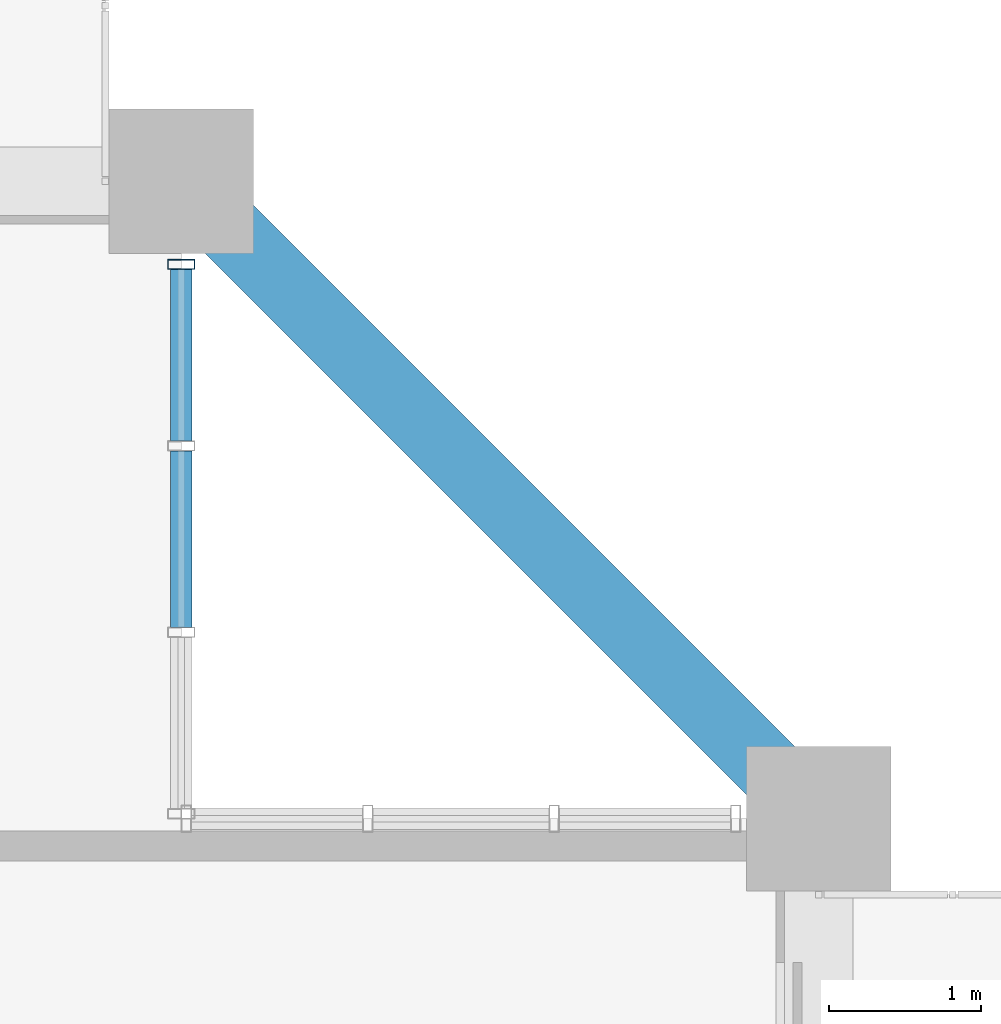
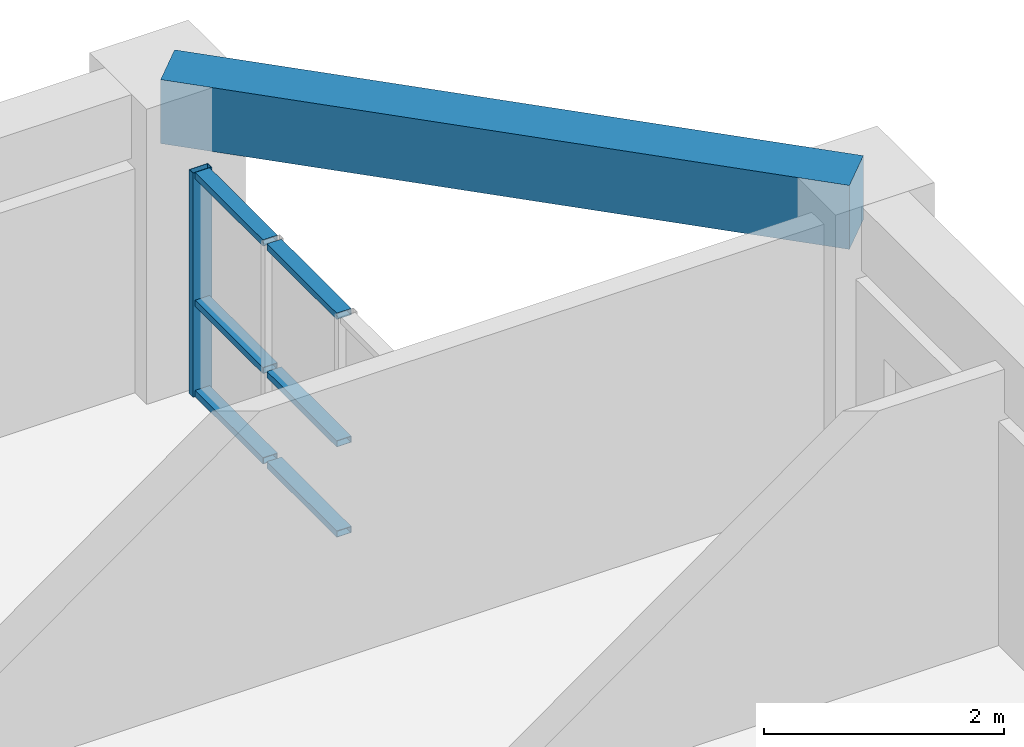
# One storey, part 12 of 25: 7 members, 1 beam, 1 element without a shape of its own.
"""IFC4 building model written with IfcOpenShell, lengths in metres."""

from ifc_helpers import new_model, si_unit, direction, frame, origin, origin_2d, place, context, subcontext, project, spatial, rectangle, hollow_rectangle, extrude, source, transform, mapped, material, layer, layer_set, material_profile, profile_set, type_object, element, aggregate, save


model = new_model("IFC4")

# Units and contexts
model_context = context("Model", 3, precision=1e-05, world=origin(), true_north=direction((0.0, 1.0)))
body_context = subcontext(model_context, "Body", "Model", "MODEL_VIEW")
ifc_project = project(units=[si_unit("LENGTHUNIT", "METRE"), si_unit("AREAUNIT", "SQUARE_METRE"), si_unit("VOLUMEUNIT", "CUBIC_METRE"), si_unit("PLANEANGLEUNIT", "RADIAN"), si_unit("MASSUNIT", "GRAM", prefix="KILO")], contexts=[model_context])

# Site, building, storey
site_placement = place(None, origin())
site = spatial("IfcSite", under=ifc_project, at=site_placement, CompositionType="ELEMENT")
building_placement = place(site_placement, origin())
building = spatial("IfcBuilding", under=site, at=building_placement, Name="Saelheon Loggia Tower", CompositionType="ELEMENT")
storey_placement = place(building_placement, frame((0.0, 0.0, 107.85009765625)))
storey = spatial("IfcBuildingStorey", under=building, at=storey_placement, Name="L34", CompositionType="ELEMENT", Elevation=107.85009765625)

# Beam
ifc_material_1 = material(Name="Concrete C40/50", Category="concrete")
ifc_material_profile_1 = material_profile(ifc_material_1, rectangle(XDim=0.449951171875, YDim=0.64990234375, at=origin_2d()), Name="RC-450x650")
ifc_profile_set_1 = profile_set([ifc_material_profile_1], Name="Concrete C40/50")
beam_type = type_object("IfcBeamType", Name="Beam_PerimTower_RC450x650", PredefinedType="BEAM", material=ifc_profile_set_1)
shared_shape_1 = source(origin(), body_context, "Body", "SweptSolid", [
    extrude(rectangle(XDim=0.449951171875, YDim=0.64990234375, at=origin_2d()), origin(), (0.0, 0.0, 1.0), 5.939697265625),
])
beam_placement = place(storey_placement, frame((64.0, 46.800048828125, 2.6748046875), z_axis=(-0.707106781187, 0.707106781187, 0.0), x_axis=(-0.707106781187, -0.707106781187, 0.0)))
element("IfcBeam", 1, at=beam_placement, inside=storey, type_object=beam_type, Name="L34 Perimeter Frame Girder 08", PredefinedType="BEAM", context=body_context, shape_type="MappedRepresentation", body=[
    mapped(shared_shape_1, transform((0.0, 0.0, 0.0), scale=1.0)),
])

# Curtain wall, members
ifc_material_2 = material(Name="Thermal-Break Aluminium and Triple Low-E Glass", Category="aluminium")
ifc_layer = layer(ifc_material_2, 0.159912109375)
ifc_layer_set = layer_set([ifc_layer], Name="Thermal-Break Aluminium and Triple Low-E Glass")
curtain_wall_type = type_object("IfcCurtainWallType", Name="CW_TowerLoggiaLow", PredefinedType="NOTDEFINED", material=ifc_layer_set)
curtain_wall_placement = place(storey_placement, origin())
curtain_wall = element("IfcCurtainWall", 2, at=curtain_wall_placement, inside=storey, type_object=curtain_wall_type, Name="L34 Corner Notch Glazing NE1", PredefinedType="NOTDEFINED")
ifc_material_3 = material(Name="Anodised Aluminium 6063-T6", Category="aluminium")
ifc_material_profile_2 = material_profile(ifc_material_3, hollow_rectangle(XDim=0.06494140625, YDim=0.179931640625, WallThickness=0.00390625, at=origin_2d()), Name="RHS-180x65x4")
ifc_profile_set_2 = profile_set([ifc_material_profile_2], Name="Anodised Aluminium 6063-T6")
member_type_1 = type_object("IfcMemberType", Name="CW_TowerLoggiaLow_Mullion", PredefinedType="MULLION", material=ifc_profile_set_2)
shared_shape_2 = source(origin(), body_context, "Body", "SweptSolid", [
    extrude(hollow_rectangle(XDim=0.06494140625, YDim=0.179931640625, WallThickness=0.00390625, at=origin_2d()), origin(), (0.0, 0.0, 1.0), 2.27978515625),
])
member_1_placement = place(storey_placement, frame((59.800048828125, 50.452392578125, 0.0), z_axis=(0.0, 0.0, 1.0), x_axis=(0.0, 1.0, 0.0)))
member_1 = element("IfcMember", 3, at=member_1_placement, type_object=member_type_1, Name="CW3 mullion 4", PredefinedType="MULLION", context=body_context, shape_type="MappedRepresentation", body=[
    mapped(shared_shape_2, transform((0.0, 0.0, 0.0), scale=1.0)),
])
ifc_material_profile_3 = material_profile(ifc_material_3, hollow_rectangle(XDim=0.06494140625, YDim=0.139892578125, WallThickness=0.00390625, at=origin_2d()), Name="RHS-140x65x4")
ifc_profile_set_3 = profile_set([ifc_material_profile_3], Name="Anodised Aluminium 6063-T6")
member_type_2 = type_object("IfcMemberType", Name="CW_TowerLoggiaLow_Transom", PredefinedType="USERDEFINED", material=ifc_profile_set_3)
shared_shape_3 = source(origin(), body_context, "Body", "SweptSolid", [
    extrude(hollow_rectangle(XDim=0.06494140625, YDim=0.139892578125, WallThickness=0.00390625, at=origin_2d()), origin(), (0.0, 0.0, 1.0), 1.130859375),
])
member_2_placement = place(storey_placement, frame((59.800048828125, 49.2890625, 0.032470703125), z_axis=(0.0, 1.0, 0.0), x_axis=(0.0, 0.0, 1.0)))
member_2 = element("IfcMember", 4, at=member_2_placement, type_object=member_type_2, Name="CW3 transom 3.1", ObjectType="TRANSOM", PredefinedType="USERDEFINED", context=body_context, shape_type="MappedRepresentation", body=[
    mapped(shared_shape_3, transform((0.0, 0.0, 0.0), scale=1.0)),
])
member_3_placement = place(storey_placement, frame((59.800048828125, 49.2890625, 0.949951171875), z_axis=(0.0, 1.0, 0.0), x_axis=(0.0, 0.0, 1.0)))
member_3 = element("IfcMember", 5, at=member_3_placement, type_object=member_type_2, Name="CW3 transom 3.2", ObjectType="TRANSOM", PredefinedType="USERDEFINED", context=body_context, shape_type="MappedRepresentation", body=[
    mapped(shared_shape_3, transform((0.0, 0.0, 0.0), scale=1.0)),
])
member_4_placement = place(storey_placement, frame((59.800048828125, 49.2890625, 2.247314453125), z_axis=(0.0, 1.0, 0.0), x_axis=(0.0, 0.0, 1.0)))
member_4 = element("IfcMember", 6, at=member_4_placement, type_object=member_type_2, Name="CW3 transom 3.3", ObjectType="TRANSOM", PredefinedType="USERDEFINED", context=body_context, shape_type="MappedRepresentation", body=[
    mapped(shared_shape_3, transform((0.0, 0.0, 0.0), scale=1.0)),
])
shared_shape_4 = source(origin(), body_context, "Body", "SweptSolid", [
    extrude(hollow_rectangle(XDim=0.06494140625, YDim=0.139892578125, WallThickness=0.00390625, at=origin_2d()), origin(), (0.0, 0.0, 1.0), 1.163330078125),
])
member_5_placement = place(storey_placement, frame((59.800048828125, 48.060791015625, 0.032470703125), z_axis=(0.0, 1.0, 0.0), x_axis=(0.0, 0.0, 1.0)))
member_5 = element("IfcMember", 7, at=member_5_placement, type_object=member_type_2, Name="CW3 transom 2.1", ObjectType="TRANSOM", PredefinedType="USERDEFINED", context=body_context, shape_type="MappedRepresentation", body=[
    mapped(shared_shape_4, transform((0.0, 0.0, 0.0), scale=1.0)),
])
member_6_placement = place(storey_placement, frame((59.800048828125, 48.060791015625, 0.949951171875), z_axis=(0.0, 1.0, 0.0), x_axis=(0.0, 0.0, 1.0)))
member_6 = element("IfcMember", 8, at=member_6_placement, type_object=member_type_2, Name="CW3 transom 2.2", ObjectType="TRANSOM", PredefinedType="USERDEFINED", context=body_context, shape_type="MappedRepresentation", body=[
    mapped(shared_shape_4, transform((0.0, 0.0, 0.0), scale=1.0)),
])
member_7_placement = place(storey_placement, frame((59.800048828125, 48.060791015625, 2.247314453125), z_axis=(0.0, 1.0, 0.0), x_axis=(0.0, 0.0, 1.0)))
member_7 = element("IfcMember", 9, at=member_7_placement, type_object=member_type_2, Name="CW3 transom 2.3", ObjectType="TRANSOM", PredefinedType="USERDEFINED", context=body_context, shape_type="MappedRepresentation", body=[
    mapped(shared_shape_4, transform((0.0, 0.0, 0.0), scale=1.0)),
])
aggregate(curtain_wall, [member_1, member_5, member_6, member_7, member_2, member_3, member_4])

save(model, "model.ifc")
